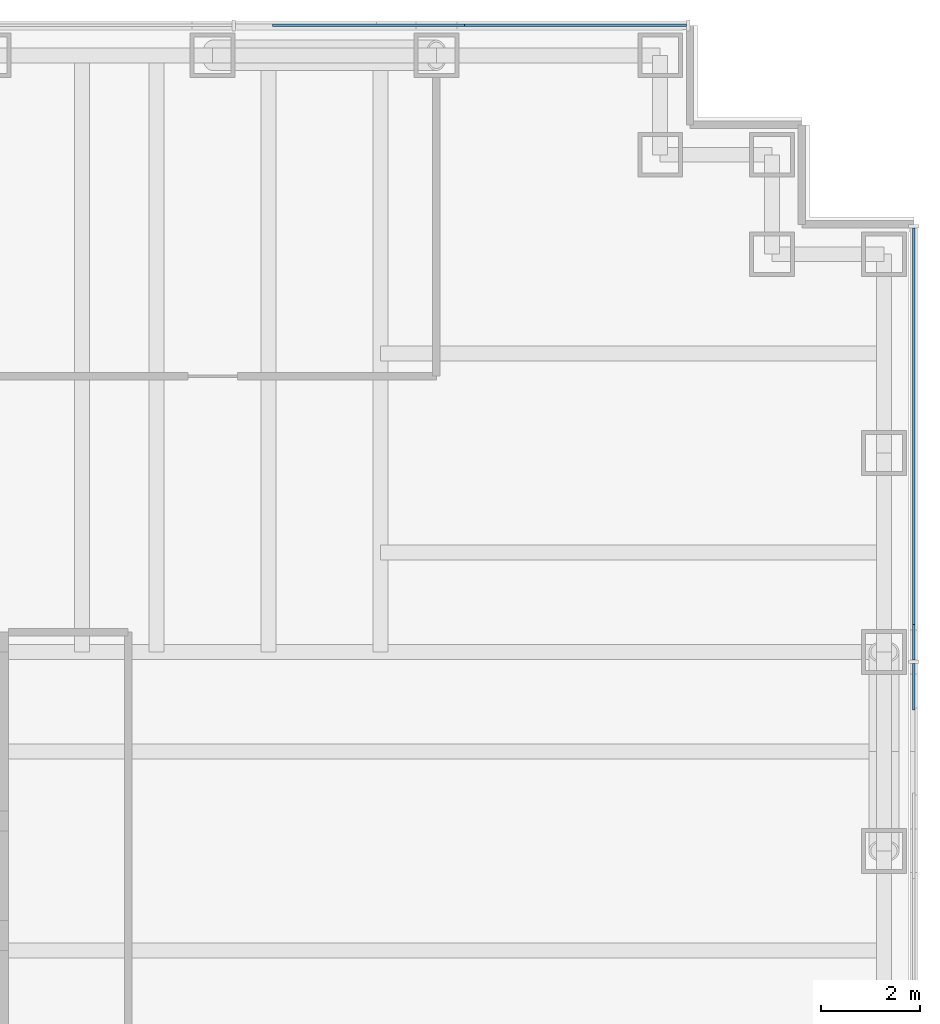
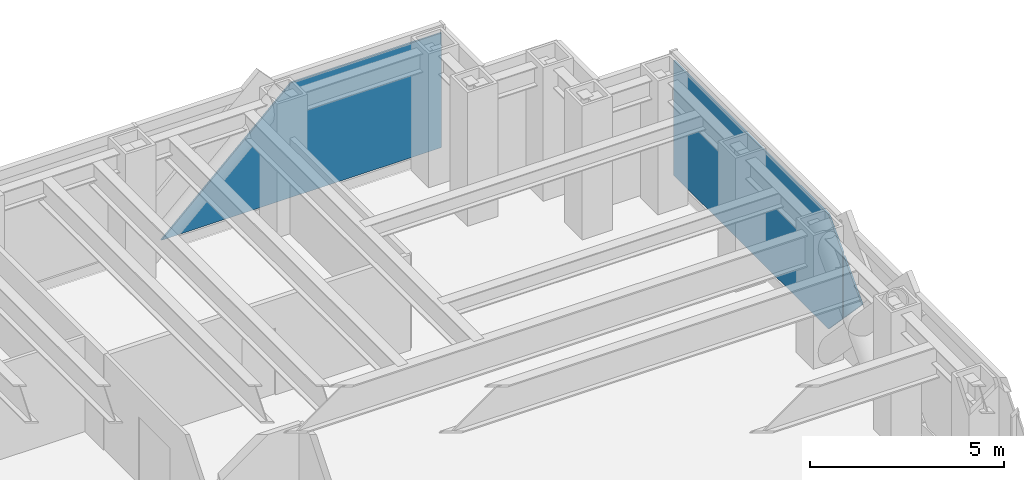
# One storey, part 12 of 19: 3 plates, 2 elements without a shape of their own.
"""IFC4 building model written with IfcOpenShell, lengths in metres."""

from ifc_helpers import new_model, si_unit, direction, frame, origin, place, context, subcontext, project, spatial, polyline, outline, extrude, material, layer, layer_set, type_object, element, aggregate, save


model = new_model("IFC4")

# Units and contexts
model_context = context("Model", 3, precision=1e-05, world=origin(), true_north=direction((0.0, 1.0)))
body_context = subcontext(model_context, "Body", "Model", "MODEL_VIEW")
ifc_project = project(units=[si_unit("LENGTHUNIT", "METRE"), si_unit("AREAUNIT", "SQUARE_METRE"), si_unit("VOLUMEUNIT", "CUBIC_METRE"), si_unit("PLANEANGLEUNIT", "RADIAN"), si_unit("MASSUNIT", "GRAM", prefix="KILO")], contexts=[model_context])

# Site, building, storey
site_placement = place(None, origin())
site = spatial("IfcSite", under=ifc_project, at=site_placement, CompositionType="ELEMENT")
building_placement = place(site_placement, origin())
building = spatial("IfcBuilding", under=site, at=building_placement, Name="Rheinbord Bourse Tower", CompositionType="ELEMENT")
storey_placement = place(building_placement, frame((0.0, 0.0, 206.800048828125)))
storey = spatial("IfcBuildingStorey", under=building, at=storey_placement, Name="L46", CompositionType="ELEMENT", Elevation=206.800048828125)

# Curtain wall, plates
ifc_material_1 = material(Name="Dark glass and black aluminium", Category="aluminium")
curtain_wall_type = type_object("IfcCurtainWallType", Name="CW2 DARK GLASS CURTAIN WALL", PredefinedType="USERDEFINED", material=ifc_material_1)
curtain_wall_1_placement = place(storey_placement, origin())
curtain_wall_1 = element("IfcCurtainWall", 1, at=curtain_wall_1_placement, inside=storey, type_object=curtain_wall_type, Name="Curtain wall CW2 E L46", ObjectType="UNITISED CURTAIN WALL", PredefinedType="USERDEFINED")
ifc_material_2 = material(Name="Dark tinted triple insulating glass", Category="glass")
ifc_layer = layer(ifc_material_2, 0.050048828125)
ifc_layer_set = layer_set([ifc_layer], Name="CW2 DARK GLASS PANEL")
plate_type = type_object("IfcPlateType", Name="CW2 DARK GLASS PANEL", PredefinedType="CURTAIN_PANEL", material=ifc_layer_set)
plate_1_placement = place(storey_placement, frame((72.625, 31.764892578125, 1.1240234375), z_axis=(-1.0, 0.0, 0.0), x_axis=(0.0, -0.689876745302, 0.723926844572)))
plate_1 = element("IfcPlate", 2, at=plate_1_placement, type_object=plate_type, Name="CW2 glass facet 4", PredefinedType="CURTAIN_PANEL", context=body_context, shape_type="SweptSolid", body=[
    extrude(outline(polyline([(0.0, 0.0), (1.347900390625, 0.0), (1.4130859375, 1.3466796875), (0.0, 0.0)])), origin(), (0.0, 0.0, 1.0), 0.050048828125),
])
plate_2_placement = place(storey_placement, frame((72.625, 40.530029296875, 3.89990234375), z_axis=(-1.0, 0.0, 0.0), x_axis=(0.0, 0.0, -1.0)))
plate_2 = element("IfcPlate", 3, at=plate_2_placement, type_object=plate_type, Name="CW2 glass facet 1", PredefinedType="CURTAIN_PANEL", context=body_context, shape_type="SweptSolid", body=[
    extrude(outline(polyline([(0.0, 0.0), (3.599853515625, 0.0), (3.599853515625, 7.97998046875), (2.848876953125, 8.695068359375), (0.75, 8.695068359375), (0.0, 7.97998046875), (0.0, 0.0)])), origin(), (0.0, 0.0, 1.0), 0.050048828125),
])
aggregate(curtain_wall_1, [plate_1, plate_2])

# Curtain wall, plate
curtain_wall_2_placement = place(storey_placement, origin())
curtain_wall_2 = element("IfcCurtainWall", 4, at=curtain_wall_2_placement, inside=storey, type_object=curtain_wall_type, Name="Curtain wall CW2 N L46", ObjectType="UNITISED CURTAIN WALL", PredefinedType="USERDEFINED")
plate_3_placement = place(storey_placement, frame((68.030029296875, 44.625, 0.300048828125), z_axis=(0.0, -1.0, 0.0), x_axis=(0.0, 0.0, 1.0)))
plate_3 = element("IfcPlate", 5, at=plate_3_placement, type_object=plate_type, Name="CW2 glass facet 1", PredefinedType="CURTAIN_PANEL", context=body_context, shape_type="SweptSolid", body=[
    extrude(outline(polyline([(0.0, 0.0), (3.599853515625, 0.0), (3.599853515625, 4.465087890625), (0.0, 8.322021484375), (0.0, 0.0)])), origin(), (0.0, 0.0, 1.0), 0.050048828125),
])
aggregate(curtain_wall_2, [plate_3])

save(model, "model.ifc")
